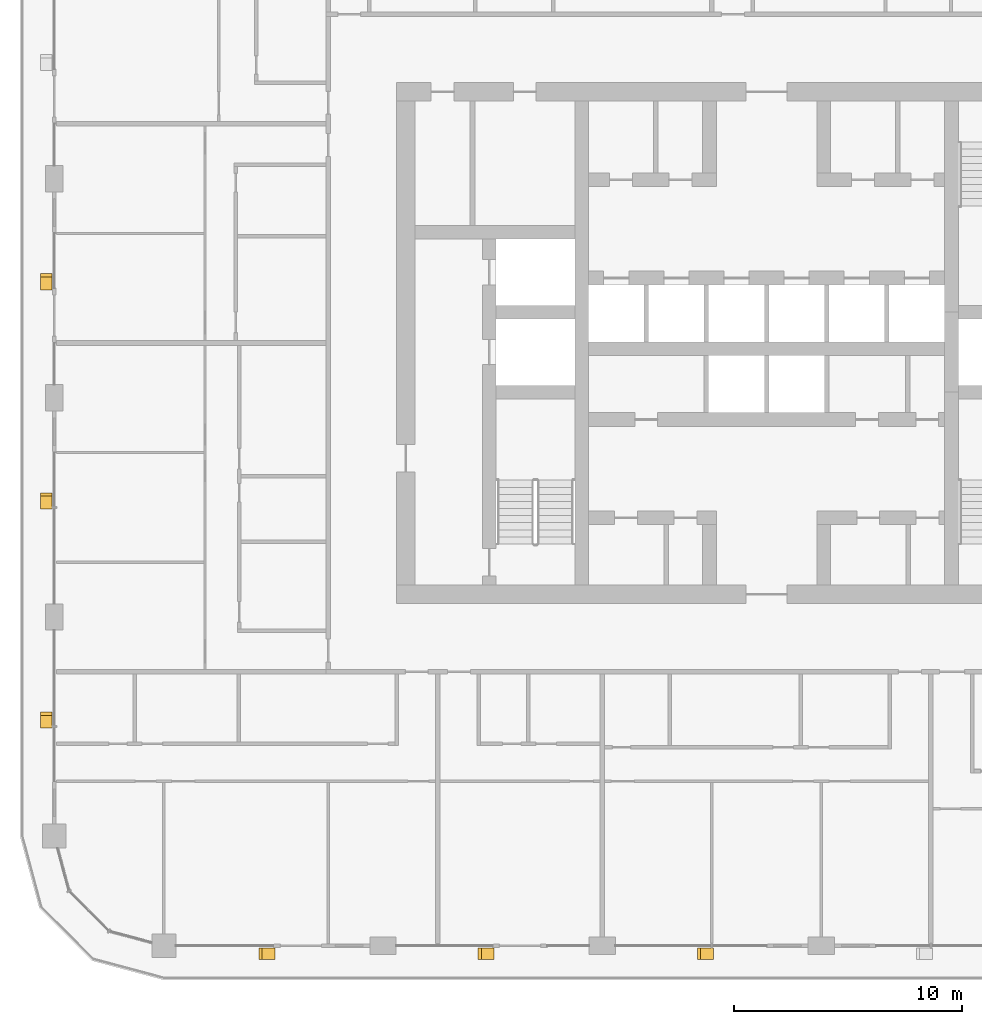
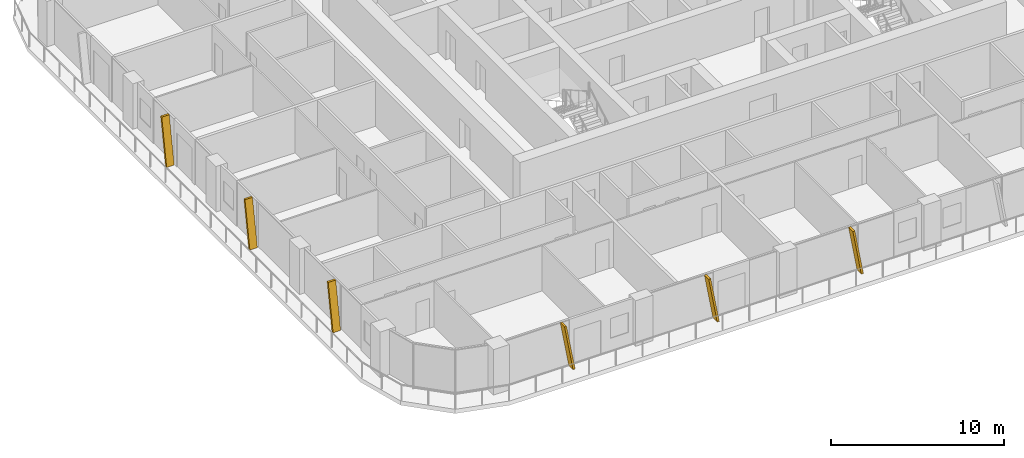
# One storey, part 17 of 22: 6 shading devices.
"""IFC4 building model written with IfcOpenShell, lengths in metres."""

from ifc_helpers import new_model, si_unit, direction, frame, origin, place, context, subcontext, project, spatial, polyline, outline, extrude, material, type_object, element, save


model = new_model("IFC4")

# Units and contexts
model_context = context("Model", 3, precision=1e-05, world=origin(), true_north=direction((0.0, 1.0)))
body_context = subcontext(model_context, "Body", "Model", "MODEL_VIEW")
ifc_project = project(units=[si_unit("LENGTHUNIT", "METRE"), si_unit("AREAUNIT", "SQUARE_METRE"), si_unit("VOLUMEUNIT", "CUBIC_METRE"), si_unit("PLANEANGLEUNIT", "RADIAN"), si_unit("MASSUNIT", "GRAM", prefix="KILO")], contexts=[model_context])

# Site, building, storey
site_placement = place(None, origin())
site = spatial("IfcSite", under=ifc_project, at=site_placement, CompositionType="ELEMENT")
building_placement = place(site_placement, origin())
building = spatial("IfcBuilding", under=site, at=building_placement, Name="Madar Terraces", CompositionType="ELEMENT")
storey_placement = place(building_placement, frame((0.0, 0.0, 159.5)))
storey = spatial("IfcBuildingStorey", under=building, at=storey_placement, Name="L41", CompositionType="ELEMENT", Elevation=159.5)

# Shading devices
ifc_material = material(Name="Aluminium, black anodised", Category="aluminium")
shading_device_type = type_object("IfcShadingDeviceType", Name="Facade fin blade 140 x 500", PredefinedType="USERDEFINED", material=ifc_material)
shading_device_1_placement = place(storey_placement, frame((9.530029296875, -0.35009765625, 0.0), z_axis=(0.0, 0.0, 1.0), x_axis=(1.0, 0.0, 0.0)))
element("IfcShadingDevice", 1, at=shading_device_1_placement, inside=storey, type_object=shading_device_type, Name="FIN L41 S1", ObjectType="FIN", PredefinedType="USERDEFINED", context=body_context, shape_type="SweptSolid", body=[
    extrude(outline(polyline([(0.0, 0.0), (0.139892578125, 0.0), (-0.42431640625, 3.199951171875), (-0.564208984375, 3.199951171875), (0.0, 0.0)])), frame((0.0, 0.25, 0.0), z_axis=(0.0, -1.0, 0.0), x_axis=(1.0, 0.0, 0.0)), (0.0, 0.0, 1.0), 0.5),
])
for number, where, z_axis, x_axis, name in (
    (2, (19.1298828125, -0.35009765625, 0.0), (0.0, 0.0, 1.0), (1.0, 0.0, 0.0), "FIN L41 S2"),
    (3, (28.72998046875, -0.35009765625, 0.0), (0.0, 0.0, 1.0), (1.0, 0.0, 0.0), "FIN L41 S3"),
    (4, (-0.35009765625, 28.8701171875, 0.0), (0.0, 0.0, 1.0), (0.0, -1.0, 0.0), "FIN L41 W2"),
    (5, (-0.35009765625, 19.27001953125, 0.0), (0.0, 0.0, 1.0), (0.0, -1.0, 0.0), "FIN L41 W3"),
):
    element("IfcShadingDevice", number, at=place(storey_placement, frame(where, z_axis=z_axis, x_axis=x_axis)), inside=storey, type_object=shading_device_type, Name=name, ObjectType="FIN", PredefinedType="USERDEFINED", context=body_context, shape_type="SweptSolid", body=[
        extrude(outline(polyline([(0.0, 0.0), (0.14013671875, 0.0), (-0.42431640625, 3.199951171875), (-0.564208984375, 3.199951171875), (0.0, 0.0)])), frame((0.0, 0.25, 0.0), z_axis=(0.0, -1.0, 0.0), x_axis=(1.0, 0.0, 0.0)), (0.0, 0.0, 1.0), 0.5),
    ])
shading_device_2_placement = place(storey_placement, frame((-0.35009765625, 9.669921875, 0.0), z_axis=(0.0, 0.0, 1.0), x_axis=(0.0, -1.0, 0.0)))
element("IfcShadingDevice", 6, at=shading_device_2_placement, inside=storey, type_object=shading_device_type, Name="FIN L41 W4", ObjectType="FIN", PredefinedType="USERDEFINED", context=body_context, shape_type="SweptSolid", body=[
    extrude(outline(polyline([(0.0, 0.0), (0.139892578125, 0.0), (-0.42431640625, 3.199951171875), (-0.564208984375, 3.199951171875), (0.0, 0.0)])), frame((0.0, 0.25, 0.0), z_axis=(0.0, -1.0, 0.0), x_axis=(1.0, 0.0, 0.0)), (0.0, 0.0, 1.0), 0.5),
])

save(model, "model.ifc")
